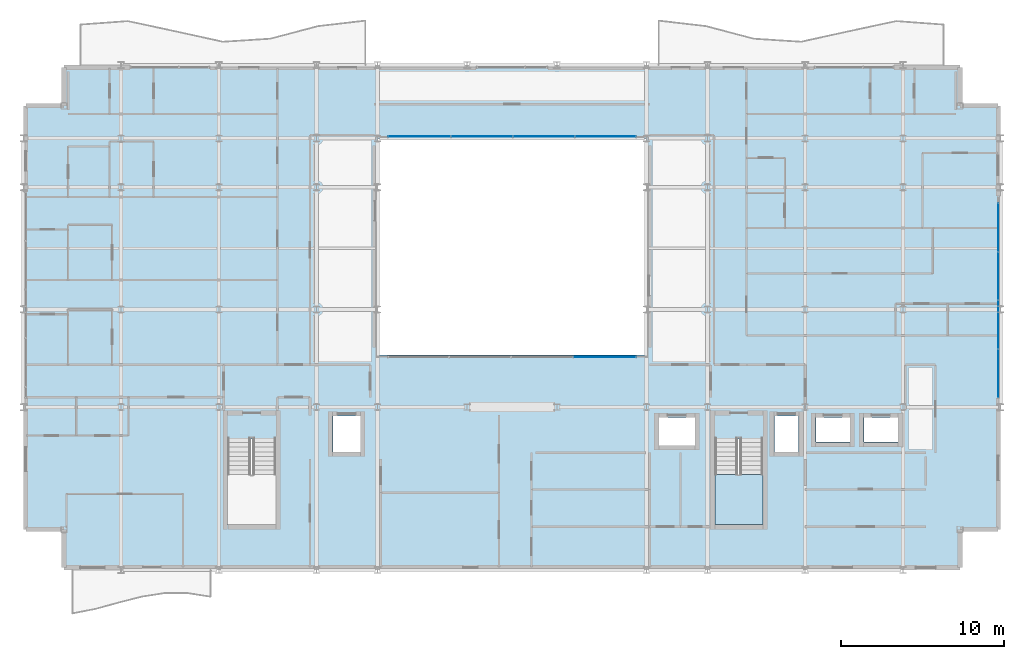
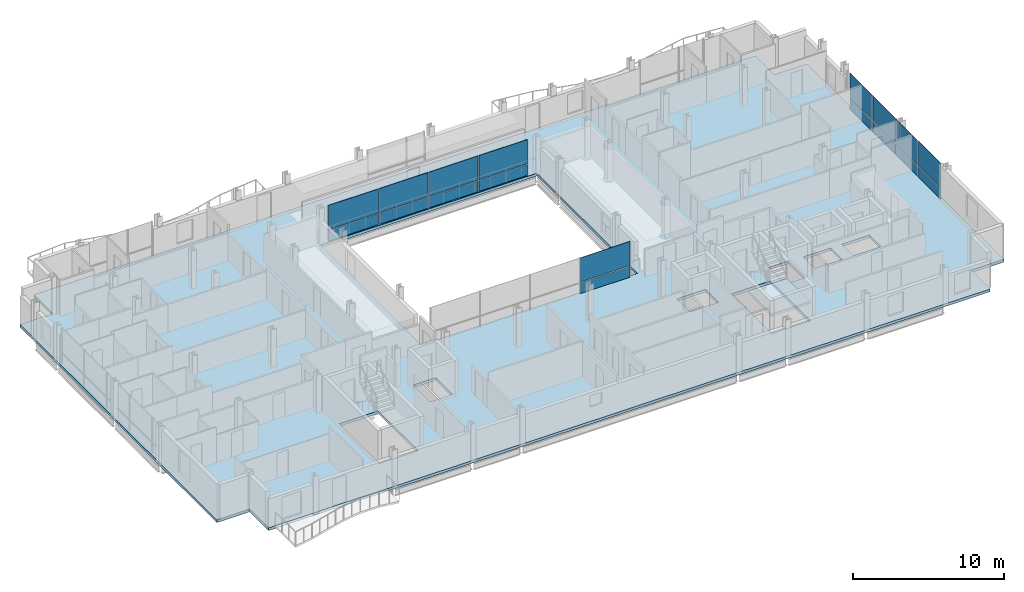
# One storey, part 29 of 41: 18 plates, 2 slabs, 4 elements without a shape of their own.
"""IFC4 building model written with IfcOpenShell, lengths in metres."""

from ifc_helpers import new_model, si_unit, direction, frame, origin, origin_2d, place, context, subcontext, project, spatial, polyline, rectangle, outline, extrude, material, layer, layer_set, type_object, element, aggregate, save


model = new_model("IFC4")

# Units and contexts
model_context = context("Model", 3, precision=1e-05, world=origin(), true_north=direction((0.0, 1.0)))
body_context = subcontext(model_context, "Body", "Model", "MODEL_VIEW")
ifc_project = project(units=[si_unit("LENGTHUNIT", "METRE"), si_unit("AREAUNIT", "SQUARE_METRE"), si_unit("VOLUMEUNIT", "CUBIC_METRE"), si_unit("PLANEANGLEUNIT", "RADIAN"), si_unit("MASSUNIT", "GRAM", prefix="KILO")], contexts=[model_context])

# Site, building, storey
site_placement = place(None, origin())
site = spatial("IfcSite", under=ifc_project, at=site_placement, CompositionType="ELEMENT")
building_placement = place(site_placement, origin())
building = spatial("IfcBuilding", under=site, at=building_placement, Name="Brevholm Reach", CompositionType="ELEMENT")
storey_placement = place(building_placement, frame((0.0, 0.0, 151.10009765625)))
storey = spatial("IfcBuildingStorey", under=building, at=storey_placement, Name="L45", CompositionType="ELEMENT", Elevation=151.10009765625)

# Curtain wall, plates
ifc_material_1 = material(Name="Dark Anodised Aluminium 6063-T6 and Solar-Control Glass", Category="aluminium")
ifc_layer_1 = layer(ifc_material_1, 0.14990234375)
ifc_layer_set_1 = layer_set([ifc_layer_1], Name="Dark Anodised Aluminium 6063-T6 and Solar-Control Glass")
curtain_wall_type_1 = type_object("IfcCurtainWallType", Name="CW-01", PredefinedType="NOTDEFINED", material=ifc_layer_set_1)
curtain_wall_1_placement = place(storey_placement, origin())
curtain_wall_1 = element("IfcCurtainWall", 1, at=curtain_wall_1_placement, inside=storey, type_object=curtain_wall_type_1, Name="L45 Curtain Wall CW-01", PredefinedType="NOTDEFINED")
ifc_material_2 = material(Name="Dark Solar-Control Double-Glazed IGU Glass", Category="glass")
ifc_layer_2 = layer(ifc_material_2, 0.028076171875)
ifc_layer_set_2 = layer_set([ifc_layer_2], Name="Dark Solar-Control Double-Glazed IGU Glass")
plate_type_1 = type_object("IfcPlateType", Name="CWP-GLZ-28", PredefinedType="CURTAIN_PANEL", material=ifc_layer_set_2)
plate_1_placement = place(storey_placement, frame((59.85009765625, 12.066162109375, 0.0), z_axis=(0.0, 0.0, 1.0), x_axis=(0.0, 1.0, 0.0)))
plate_1 = element("IfcPlate", 2, at=plate_1_placement, type_object=plate_type_1, Name="CP-01 Glazing Panel 1.1", PredefinedType="CURTAIN_PANEL", context=body_context, shape_type="SweptSolid", body=[
    extrude(rectangle(XDim=2.902587890625, YDim=0.028076171875, at=origin_2d()), origin(), (0.0, 0.0, 1.0), 0.867431640625),
])
plate_2_placement = place(storey_placement, frame((59.85009765625, 12.066162109375, 0.9326171875), z_axis=(0.0, 0.0, 1.0), x_axis=(0.0, 1.0, 0.0)))
plate_2 = element("IfcPlate", 3, at=plate_2_placement, type_object=plate_type_1, Name="CP-01 Glazing Panel 1.2", PredefinedType="CURTAIN_PANEL", context=body_context, shape_type="SweptSolid", body=[
    extrude(rectangle(XDim=2.902587890625, YDim=0.028076171875, at=origin_2d()), origin(), (0.0, 0.0, 1.0), 1.947509765625),
])
plate_3_placement = place(storey_placement, frame((59.85009765625, 15.050048828125, 0.0), z_axis=(0.0, 0.0, 1.0), x_axis=(0.0, 1.0, 0.0)))
plate_3 = element("IfcPlate", 4, at=plate_3_placement, type_object=plate_type_1, Name="CP-01 Glazing Panel 2.1", PredefinedType="CURTAIN_PANEL", context=body_context, shape_type="SweptSolid", body=[
    extrude(rectangle(XDim=2.93505859375, YDim=0.028076171875, at=origin_2d()), origin(), (0.0, 0.0, 1.0), 0.867431640625),
])
plate_4_placement = place(storey_placement, frame((59.85009765625, 15.050048828125, 0.9326171875), z_axis=(0.0, 0.0, 1.0), x_axis=(0.0, 1.0, 0.0)))
plate_4 = element("IfcPlate", 5, at=plate_4_placement, type_object=plate_type_1, Name="CP-01 Glazing Panel 2.2", PredefinedType="CURTAIN_PANEL", context=body_context, shape_type="SweptSolid", body=[
    extrude(rectangle(XDim=2.93505859375, YDim=0.028076171875, at=origin_2d()), origin(), (0.0, 0.0, 1.0), 1.947509765625),
])
plate_5_placement = place(storey_placement, frame((59.85009765625, 18.050048828125, 0.0), z_axis=(0.0, 0.0, 1.0), x_axis=(0.0, 1.0, 0.0)))
plate_5 = element("IfcPlate", 6, at=plate_5_placement, type_object=plate_type_1, Name="CP-01 Glazing Panel 3.1", PredefinedType="CURTAIN_PANEL", context=body_context, shape_type="SweptSolid", body=[
    extrude(rectangle(XDim=2.93505859375, YDim=0.028076171875, at=origin_2d()), origin(), (0.0, 0.0, 1.0), 0.867431640625),
])
plate_6_placement = place(storey_placement, frame((59.85009765625, 18.050048828125, 0.9326171875), z_axis=(0.0, 0.0, 1.0), x_axis=(0.0, 1.0, 0.0)))
plate_6 = element("IfcPlate", 7, at=plate_6_placement, type_object=plate_type_1, Name="CP-01 Glazing Panel 3.2", PredefinedType="CURTAIN_PANEL", context=body_context, shape_type="SweptSolid", body=[
    extrude(rectangle(XDim=2.93505859375, YDim=0.028076171875, at=origin_2d()), origin(), (0.0, 0.0, 1.0), 1.947509765625),
])
plate_7_placement = place(storey_placement, frame((59.85009765625, 21.050048828125, 0.0), z_axis=(0.0, 0.0, 1.0), x_axis=(0.0, 1.0, 0.0)))
plate_7 = element("IfcPlate", 8, at=plate_7_placement, type_object=plate_type_1, Name="CP-01 Glazing Panel 4.1", PredefinedType="CURTAIN_PANEL", context=body_context, shape_type="SweptSolid", body=[
    extrude(rectangle(XDim=2.93505859375, YDim=0.028076171875, at=origin_2d()), origin(), (0.0, 0.0, 1.0), 0.867431640625),
])
plate_8_placement = place(storey_placement, frame((59.85009765625, 21.050048828125, 0.9326171875), z_axis=(0.0, 0.0, 1.0), x_axis=(0.0, 1.0, 0.0)))
plate_8 = element("IfcPlate", 9, at=plate_8_placement, type_object=plate_type_1, Name="CP-01 Glazing Panel 4.2", PredefinedType="CURTAIN_PANEL", context=body_context, shape_type="SweptSolid", body=[
    extrude(rectangle(XDim=2.93505859375, YDim=0.028076171875, at=origin_2d()), origin(), (0.0, 0.0, 1.0), 1.947509765625),
])
aggregate(curtain_wall_1, [plate_1, plate_2, plate_3, plate_4, plate_5, plate_6, plate_7, plate_8])

ifc_material_3 = material(Name="Dark Anodised Aluminium 6063-T6 and Solar-Control Glass", Category="aluminium")
ifc_layer_3 = layer(ifc_material_3, 0.139892578125)
ifc_layer_set_3 = layer_set([ifc_layer_3], Name="Dark Anodised Aluminium 6063-T6 and Solar-Control Glass")
curtain_wall_type_2 = type_object("IfcCurtainWallType", Name="CW-02", PredefinedType="NOTDEFINED", material=ifc_layer_set_3)
curtain_wall_2_placement = place(storey_placement, origin())
curtain_wall_2 = element("IfcCurtainWall", 10, at=curtain_wall_2_placement, inside=storey, type_object=curtain_wall_type_2, Name="L45 Curtain Wall CW-02", PredefinedType="NOTDEFINED")
ifc_material_4 = material(Name="Low-Iron Laminated Acoustic Glass", Category="glass")
ifc_layer_4 = layer(ifc_material_4, 0.035888671875)
ifc_layer_set_4 = layer_set([ifc_layer_4], Name="Low-Iron Laminated Acoustic Glass")
plate_type_2 = type_object("IfcPlateType", Name="CWP-GLZ-36", PredefinedType="CURTAIN_PANEL", material=ifc_layer_set_4)
plate_9_placement = place(storey_placement, frame((35.68505859375, 13.080078125, -0.000244140625), z_axis=(0.0, 0.0, 1.0), x_axis=(1.0, 0.0, 0.0)))
plate_9 = element("IfcPlate", 11, at=plate_9_placement, type_object=plate_type_2, Name="CP-02 Glazing Panel 4.1", PredefinedType="CURTAIN_PANEL", context=body_context, shape_type="SweptSolid", body=[
    extrude(rectangle(XDim=3.81005859375, YDim=0.035888671875, at=origin_2d()), origin(), (0.0, 0.0, 1.0), 0.8701171875),
])
plate_10_placement = place(storey_placement, frame((35.68505859375, 13.080078125, 0.9296875), z_axis=(0.0, 0.0, 1.0), x_axis=(1.0, 0.0, 0.0)))
plate_10 = element("IfcPlate", 12, at=plate_10_placement, type_object=plate_type_2, Name="CP-02 Glazing Panel 4.2", PredefinedType="CURTAIN_PANEL", context=body_context, shape_type="SweptSolid", body=[
    extrude(rectangle(XDim=3.81005859375, YDim=0.035888671875, at=origin_2d()), origin(), (0.0, 0.0, 1.0), 1.949951171875),
])
aggregate(curtain_wall_2, [plate_9, plate_10])

curtain_wall_3_placement = place(storey_placement, origin())
curtain_wall_3 = element("IfcCurtainWall", 13, at=curtain_wall_3_placement, inside=storey, type_object=curtain_wall_type_2, Name="L45 Curtain Wall CW-02", PredefinedType="NOTDEFINED")
plate_11_placement = place(storey_placement, frame((35.735107421875, 26.6201171875, -0.000244140625), z_axis=(0.0, 0.0, 1.0), x_axis=(-1.0, 0.0, 0.0)))
plate_11 = element("IfcPlate", 14, at=plate_11_placement, type_object=plate_type_2, Name="CP-02 Glazing Panel 1.1", PredefinedType="CURTAIN_PANEL", context=body_context, shape_type="SweptSolid", body=[
    extrude(rectangle(XDim=3.7099609375, YDim=0.035888671875, at=origin_2d()), origin(), (0.0, 0.0, 1.0), 0.8701171875),
])
plate_12_placement = place(storey_placement, frame((35.735107421875, 26.6201171875, 0.9296875), z_axis=(0.0, 0.0, 1.0), x_axis=(-1.0, 0.0, 0.0)))
plate_12 = element("IfcPlate", 15, at=plate_12_placement, type_object=plate_type_2, Name="CP-02 Glazing Panel 1.2", PredefinedType="CURTAIN_PANEL", context=body_context, shape_type="SweptSolid", body=[
    extrude(rectangle(XDim=3.7099609375, YDim=0.035888671875, at=origin_2d()), origin(), (0.0, 0.0, 1.0), 1.949951171875),
])
plate_13_placement = place(storey_placement, frame((31.949951171875, 26.6201171875, -0.000244140625), z_axis=(0.0, 0.0, 1.0), x_axis=(-1.0, 0.0, 0.0)))
plate_13 = element("IfcPlate", 16, at=plate_13_placement, type_object=plate_type_2, Name="CP-02 Glazing Panel 2.1", PredefinedType="CURTAIN_PANEL", context=body_context, shape_type="SweptSolid", body=[
    extrude(rectangle(XDim=3.739990234375, YDim=0.035888671875, at=origin_2d()), origin(), (0.0, 0.0, 1.0), 0.8701171875),
])
plate_14_placement = place(storey_placement, frame((31.949951171875, 26.6201171875, 0.9296875), z_axis=(0.0, 0.0, 1.0), x_axis=(-1.0, 0.0, 0.0)))
plate_14 = element("IfcPlate", 17, at=plate_14_placement, type_object=plate_type_2, Name="CP-02 Glazing Panel 2.2", PredefinedType="CURTAIN_PANEL", context=body_context, shape_type="SweptSolid", body=[
    extrude(rectangle(XDim=3.739990234375, YDim=0.035888671875, at=origin_2d()), origin(), (0.0, 0.0, 1.0), 1.949951171875),
])
plate_15_placement = place(storey_placement, frame((28.14990234375, 26.6201171875, -0.000244140625), z_axis=(0.0, 0.0, 1.0), x_axis=(-1.0, 0.0, 0.0)))
plate_15 = element("IfcPlate", 18, at=plate_15_placement, type_object=plate_type_2, Name="CP-02 Glazing Panel 3.1", PredefinedType="CURTAIN_PANEL", context=body_context, shape_type="SweptSolid", body=[
    extrude(rectangle(XDim=3.739990234375, YDim=0.035888671875, at=origin_2d()), origin(), (0.0, 0.0, 1.0), 0.8701171875),
])
plate_16_placement = place(storey_placement, frame((28.14990234375, 26.6201171875, 0.9296875), z_axis=(0.0, 0.0, 1.0), x_axis=(-1.0, 0.0, 0.0)))
plate_16 = element("IfcPlate", 19, at=plate_16_placement, type_object=plate_type_2, Name="CP-02 Glazing Panel 3.2", PredefinedType="CURTAIN_PANEL", context=body_context, shape_type="SweptSolid", body=[
    extrude(rectangle(XDim=3.739990234375, YDim=0.035888671875, at=origin_2d()), origin(), (0.0, 0.0, 1.0), 1.949951171875),
])
plate_17_placement = place(storey_placement, frame((24.31494140625, 26.6201171875, -0.000244140625), z_axis=(0.0, 0.0, 1.0), x_axis=(-1.0, 0.0, 0.0)))
plate_17 = element("IfcPlate", 20, at=plate_17_placement, type_object=plate_type_2, Name="CP-02 Glazing Panel 4.1", PredefinedType="CURTAIN_PANEL", context=body_context, shape_type="SweptSolid", body=[
    extrude(rectangle(XDim=3.81005859375, YDim=0.035888671875, at=origin_2d()), origin(), (0.0, 0.0, 1.0), 0.8701171875),
])
plate_18_placement = place(storey_placement, frame((24.31494140625, 26.6201171875, 0.9296875), z_axis=(0.0, 0.0, 1.0), x_axis=(-1.0, 0.0, 0.0)))
plate_18 = element("IfcPlate", 21, at=plate_18_placement, type_object=plate_type_2, Name="CP-02 Glazing Panel 4.2", PredefinedType="CURTAIN_PANEL", context=body_context, shape_type="SweptSolid", body=[
    extrude(rectangle(XDim=3.81005859375, YDim=0.035888671875, at=origin_2d()), origin(), (0.0, 0.0, 1.0), 1.949951171875),
])
aggregate(curtain_wall_3, [plate_11, plate_12, plate_13, plate_14, plate_15, plate_16, plate_17, plate_18])

# Slab
ifc_material_5 = material(Name="Concrete C40/50", Category="concrete")
ifc_layer_5 = layer(ifc_material_5, 0.219970703125)
ifc_layer_set_5 = layer_set([ifc_layer_5], Name="Concrete C40/50")
slab_type_1 = type_object("IfcSlabType", Name="SLB-FL-220", PredefinedType="FLOOR", material=ifc_layer_set_5)
slab_1_placement = place(storey_placement, frame((0.0, 0.0, -0.22021484375)))
element("IfcSlab", 22, at=slab_1_placement, inside=storey, type_object=slab_type_1, Name="L45 Suspended Floor Slab (main)", PredefinedType="FLOOR", context=body_context, shape_type="SweptSolid", body=[
    extrude(outline(polyline([(2.5, 0.0), (57.5, 0.0), (57.5, 2.5), (60.0, 2.5), (60.0, 28.5), (57.5, 28.5), (57.5, 31.0), (2.5, 31.0), (2.5, 28.5), (0.0, 28.5), (0.0, 2.5), (2.5, 2.5), (2.5, 0.0)]), holes=[polyline([(21.75, 13.199951171875), (38.25, 13.199951171875), (38.25, 26.5), (21.75, 26.5), (21.75, 13.199951171875)]), polyline([(12.550048828125, 2.780029296875), (15.5, 2.780029296875), (15.5, 8.044921875), (12.550048828125, 8.044921875), (12.550048828125, 2.780029296875)]), polyline([(42.449951171875, 2.780029296875), (45.39990234375, 2.780029296875), (45.39990234375, 8.044921875), (42.449951171875, 8.044921875), (42.449951171875, 2.780029296875)]), polyline([(19.0, 7.25), (20.699951171875, 7.25), (20.699951171875, 9.449951171875), (19.0, 9.449951171875), (19.0, 7.25)]), polyline([(46.10009765625, 7.25), (47.60009765625, 7.25), (47.60009765625, 9.449951171875), (46.10009765625, 9.449951171875), (46.10009765625, 7.25)]), polyline([(39.02001953125, 7.64990234375), (41.219970703125, 7.64990234375), (41.219970703125, 9.35009765625), (39.02001953125, 9.35009765625), (39.02001953125, 7.64990234375)]), polyline([(48.64990234375, 7.85009765625), (50.75, 7.85009765625), (50.75, 9.35009765625), (48.64990234375, 9.35009765625), (48.64990234375, 7.85009765625)]), polyline([(51.60009765625, 7.85009765625), (53.699951171875, 7.85009765625), (53.699951171875, 9.35009765625), (51.60009765625, 9.35009765625), (51.60009765625, 7.85009765625)])]), origin(), (0.0, 0.0, 1.0), 0.22021484375),
])

# Stair, slab
ifc_material_6 = material(Name="Precast Concrete C40/50", Category="concrete")
stair_type = type_object("IfcStairType", Name="STR-ESC-1400", PredefinedType="DOUBLE_RETURN_STAIR", material=ifc_material_6)
stair_placement = place(storey_placement, origin())
stair = element("IfcStair", 23, at=stair_placement, inside=storey, type_object=stair_type, Name="L45 ST-2", PredefinedType="DOUBLE_RETURN_STAIR")
ifc_material_7 = material(Name="Concrete C40/50", Category="concrete")
ifc_layer_6 = layer(ifc_material_7, 0.199951171875)
ifc_layer_set_6 = layer_set([ifc_layer_6], Name="Concrete C40/50")
slab_type_2 = type_object("IfcSlabType", Name="SLB-LND-200", PredefinedType="LANDING", material=ifc_layer_set_6)
slab_2_placement = place(storey_placement, frame((0.0, 0.0, 1.349853515625)))
slab_2 = element("IfcSlab", 24, at=slab_2_placement, type_object=slab_type_2, Name="ST-2 landing 1", PredefinedType="LANDING", context=body_context, shape_type="SweptSolid", body=[
    extrude(outline(polyline([(42.449951171875, 5.860107421875), (42.449951171875, 2.780029296875), (45.39990234375, 2.780029296875), (45.39990234375, 5.860107421875), (42.449951171875, 5.860107421875)])), origin(), (0.0, 0.0, 1.0), 0.199951171875),
])
aggregate(stair, [slab_2])

save(model, "model.ifc")
